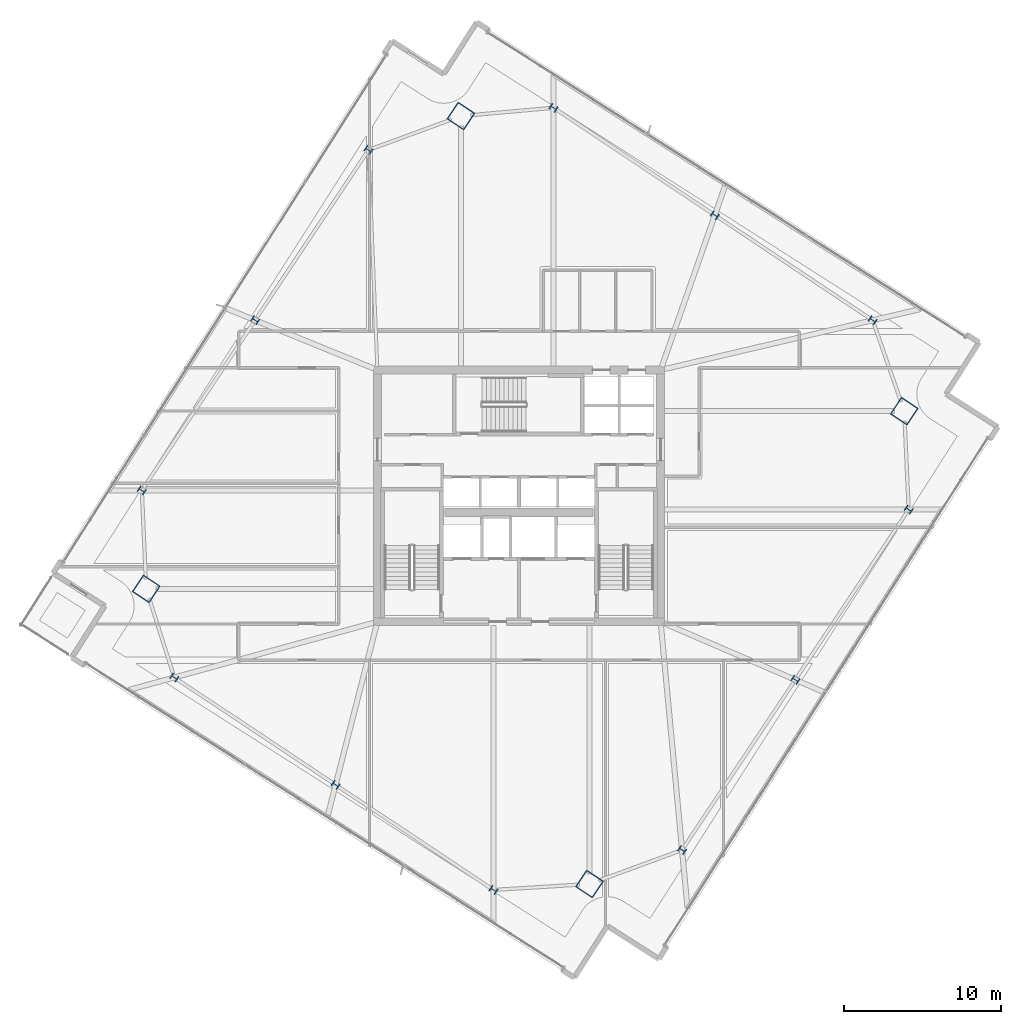
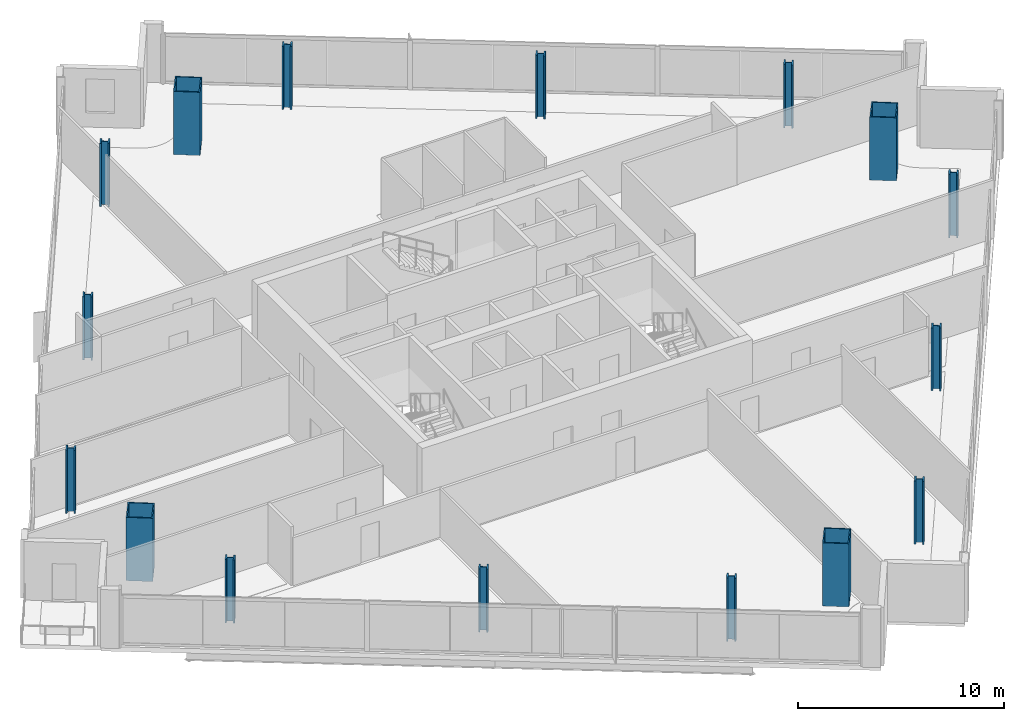
# One storey, part 1 of 30: 16 columns.
"""IFC4 building model written with IfcOpenShell, lengths in metres."""

from ifc_helpers import new_model, si_unit, direction, frame, origin, origin_2d, place, context, subcontext, project, spatial, hollow_rectangle, i_section, extrude, material, material_profile, profile_set, type_object, element, save


model = new_model("IFC4")

# Units and contexts
model_context = context("Model", 3, precision=1e-05, world=origin(), true_north=direction((0.0, 1.0)))
body_context = subcontext(model_context, "Body", "Model", "MODEL_VIEW")
ifc_project = project(units=[si_unit("LENGTHUNIT", "METRE"), si_unit("AREAUNIT", "SQUARE_METRE"), si_unit("VOLUMEUNIT", "CUBIC_METRE"), si_unit("PLANEANGLEUNIT", "RADIAN"), si_unit("MASSUNIT", "GRAM", prefix="KILO")], contexts=[model_context])

# Site, building, storey
site_placement = place(None, origin())
site = spatial("IfcSite", under=ifc_project, at=site_placement, CompositionType="ELEMENT")
building_placement = place(site_placement, origin())
building = spatial("IfcBuilding", under=site, at=building_placement, Name="Haldenkirk Collegiate Tower", CompositionType="ELEMENT")
storey_placement = place(building_placement, frame((0.0, 0.0, 220.949951171875)))
storey = spatial("IfcBuildingStorey", under=building, at=storey_placement, Name="L55", CompositionType="ELEMENT", Elevation=220.949951171875)

# Columns
ifc_material_1 = material(Name="Steel ASTM A913 Grade 65", Category="steel")
ifc_material_profile_1 = material_profile(ifc_material_1, i_section(OverallWidth=0.424072265625, OverallDepth=0.47412109375, WebThickness=0.047607421875, FlangeThickness=0.0771484375, at=origin_2d()), Name="W14X426")
ifc_profile_set_1 = profile_set([ifc_material_profile_1], Name="Steel ASTM A913 Grade 65")
column_type_1 = type_object("IfcColumnType", Name="COL-INT-W14X426", PredefinedType="COLUMN", material=ifc_profile_set_1)
for number, where, z_axis, x_axis, name in (
    (1, (46.363037109375, 3.48974609375, 0.0), (0.0, 0.0, 1.0), (0.554118199338, 0.832437998389, 0.0), "L55 perimeter gravity column PC-S1"),
    (2, (53.564453125, 14.30810546875, 0.0), (0.0, 0.0, 1.0), (0.554118199338, 0.832437998389, 0.0), "L55 perimeter gravity column PC-S2"),
    (3, (60.765869140625, 25.12646484375, 0.0), (0.0, 0.0, 1.0), (0.554118199338, 0.832437998389, 0.0), "L55 perimeter gravity column PC-S3"),
    (4, (58.48095703125, 37.16357421875, 0.0), (0.0, 0.0, 1.0), (0.554118199338, 0.832437998389, 0.0), "L55 perimeter gravity column PC-E1"),
    (5, (48.447509765625, 43.84228515625, 0.0), (0.0, 0.0, 1.0), (0.554118199338, 0.832437998389, 0.0), "L55 perimeter gravity column PC-E2"),
    (6, (38.192626953125, 50.66845703125, 0.0), (0.0, 0.0, 1.0), (0.554118199338, 0.832437998389, 0.0), "L55 perimeter gravity column PC-E3"),
    (7, (26.427734375, 47.98388671875, 0.0), (0.0, 0.0, 1.0), (0.554118199338, 0.832437998389, 0.0), "L55 perimeter gravity column PC-N1"),
    (8, (19.226318359375, 37.16552734375, 0.0), (0.0, 0.0, 1.0), (0.554118199338, 0.832437998389, 0.0), "L55 perimeter gravity column PC-N2"),
    (9, (12.025146484375, 26.34716796875, 0.0), (0.0, 0.0, 1.0), (0.554118199338, 0.832437998389, 0.0), "L55 perimeter gravity column PC-N3"),
    (10, (14.08837890625, 14.45751953125, 0.0), (0.0, 0.0, 1.0), (0.554118199338, 0.832437998389, 0.0), "L55 perimeter gravity column PC-W1"),
    (11, (24.34326171875, 7.63134765625, 0.0), (0.0, 0.0, 1.0), (0.554118199338, 0.832437998389, 0.0), "L55 perimeter gravity column PC-W2"),
    (12, (34.376708984375, 0.952392578125, 0.0), (0.0, 0.0, 1.0), (0.554118199338, 0.832437998389, 0.0), "L55 perimeter gravity column PC-W3"),
):
    element("IfcColumn", number, at=place(storey_placement, frame(where, z_axis=z_axis, x_axis=x_axis)), inside=storey, type_object=column_type_1, Name=name, PredefinedType="COLUMN", context=body_context, shape_type="SweptSolid", body=[
        extrude(i_section(OverallWidth=0.424072265625, OverallDepth=0.47412109375, WebThickness=0.047607421875, FlangeThickness=0.0771484375, at=origin_2d()), origin(), (0.0, 0.0, 1.0), 3.75),
    ])
ifc_material_2 = material(Name="Steel ASTM A572 Grade 50", Category="steel")
ifc_material_profile_2 = material_profile(ifc_material_2, hollow_rectangle(XDim=1.300048828125, YDim=1.300048828125, WallThickness=0.06005859375, at=origin_2d()), Name="BOX1300X1300X60")
ifc_profile_set_2 = profile_set([ifc_material_profile_2], Name="Steel ASTM A572 Grade 50")
column_type_2 = type_object("IfcColumnType", Name="COL-MEGA-BOX1300X1300X60", PredefinedType="COLUMN", material=ifc_profile_set_2)
for number, where, z_axis, x_axis, name in (
    (13, (40.482666015625, 1.332763671875, 0.0), (0.0, 0.0, 1.0), (0.554118199338, 0.832437998389, 0.0), "L55 corner mega-column MC1"),
    (14, (60.486328125, 31.3837890625, 0.0), (0.0, 0.0, 1.0), (0.554118199338, 0.832437998389, 0.0), "L55 corner mega-column MC2"),
    (15, (32.30810546875, 50.140869140625, 0.0), (0.0, 0.0, 1.0), (0.554118199338, 0.832437998389, 0.0), "L55 corner mega-column MC3"),
    (16, (12.3046875, 20.089599609375, 0.0), (0.0, 0.0, 1.0), (0.554118199338, 0.832437998389, 0.0), "L55 corner mega-column MC4"),
):
    element("IfcColumn", number, at=place(storey_placement, frame(where, z_axis=z_axis, x_axis=x_axis)), inside=storey, type_object=column_type_2, Name=name, PredefinedType="COLUMN", context=body_context, shape_type="SweptSolid", body=[
        extrude(hollow_rectangle(XDim=1.300048828125, YDim=1.300048828125, WallThickness=0.06005859375, at=origin_2d()), origin(), (0.0, 0.0, 1.0), 3.75),
    ])

save(model, "model.ifc")
